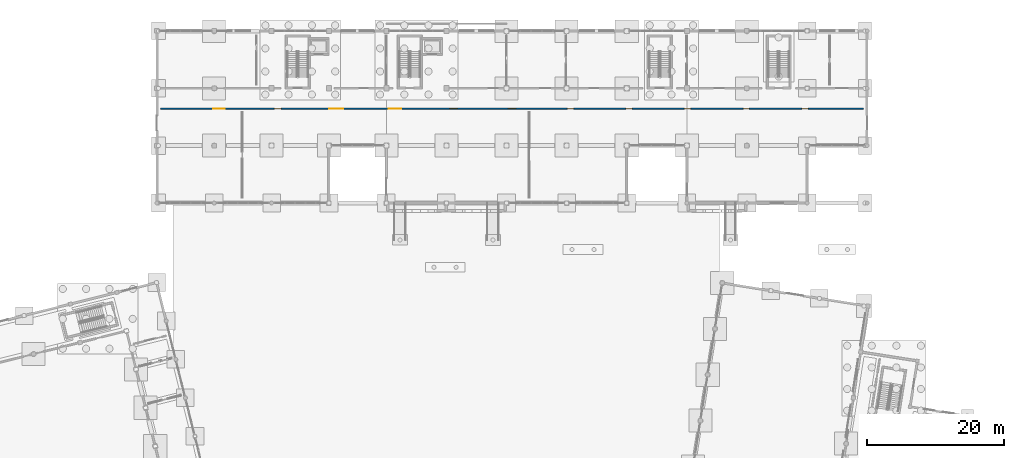
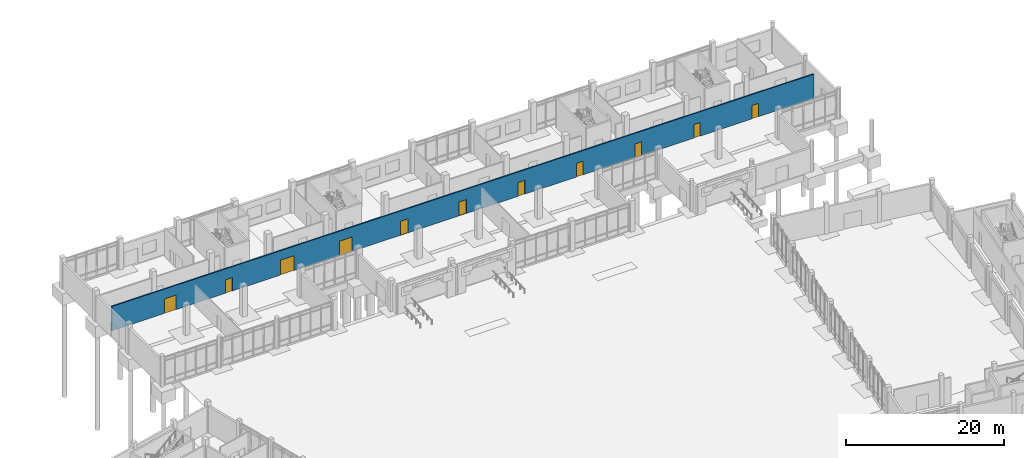
# One storey, part 48 of 72: 11 doors, 1 wall, 11 openings.
"""IFC4 building model written with IfcOpenShell, lengths in metres."""

from ifc_helpers import new_model, si_unit, direction, frame, frame_2d, origin, place, context, subcontext, project, spatial, rectangle, extrude, material, layer, layer_set, type_object, element, fill, save


model = new_model("IFC4")

# Units and contexts
model_context = context("Model", 3, precision=1e-05, world=origin(), true_north=direction((0.0, 1.0)))
body_context = subcontext(model_context, "Body", "Model", "MODEL_VIEW")
ifc_project = project(units=[si_unit("LENGTHUNIT", "METRE"), si_unit("AREAUNIT", "SQUARE_METRE"), si_unit("VOLUMEUNIT", "CUBIC_METRE"), si_unit("PLANEANGLEUNIT", "RADIAN"), si_unit("MASSUNIT", "GRAM", prefix="KILO")], contexts=[model_context])

# Site, building, storey
site_placement = place(None, origin())
site = spatial("IfcSite", under=ifc_project, at=site_placement, CompositionType="ELEMENT")
building_placement = place(site_placement, origin())
building = spatial("IfcBuilding", under=site, at=building_placement, Name="Cinderway Yard Community Centre", CompositionType="ELEMENT")
storey_placement = place(building_placement, origin())
storey = spatial("IfcBuildingStorey", under=building, at=storey_placement, Name="L00", CompositionType="ELEMENT", Elevation=0.0)

# Wall, openings, doors
ifc_material_1 = material(Name="Brick Masonry", Category="masonry")
ifc_layer = layer(ifc_material_1, 0.179931640625, Name="Brick Masonry")
ifc_layer_set = layer_set([ifc_layer], Name="Brick Masonry")
wall_type = type_object("IfcWallType", Name="INT-WAL-PRT180", PredefinedType="PARTITIONING", material=ifc_layer_set)
wall_placement = place(storey_placement, frame((42.14990234375, 103.800048828125, 0.0), z_axis=(0.0, 0.0, 1.0), x_axis=(1.0, 0.0, 0.0)))
wall = element("IfcWall", 1, at=wall_placement, inside=storey, type_object=wall_type, Name="V4 L00 South Corridor Spine INT-PRT-L00-0277", PredefinedType="PARTITIONING", context=body_context, shape_type="SweptSolid", body=[
    extrude(rectangle(XDim=102.900146484375, YDim=0.179931640625, at=frame_2d((51.4501953125, 0.0))), origin(), (0.0, 0.0, 1.0), 3.77490234375),
])
opening_1_placement = place(wall_placement, frame((7.735107421875, 0.0, 0.0)))
opening_1 = element("IfcOpeningElement", 2, at=opening_1_placement, cuts=wall, Name="Opening D-16", PredefinedType="OPENING", context=body_context, shape_type="SweptSolid", body=[
    extrude(rectangle(XDim=1.679931640625, YDim=2.260009765625, at=frame_2d((0.83984375, 1.1298828125))), frame((0.0, 0.099853515625, 0.0), z_axis=(0.0, -1.0, 0.0), x_axis=(1.0, 0.0, 0.0)), (0.0, 0.0, 1.0), 0.199951171875),
])
opening_2_placement = place(wall_placement, frame((16.6298828125, 0.0, 0.0)))
opening_2 = element("IfcOpeningElement", 3, at=opening_2_placement, cuts=wall, Name="Opening D-17", PredefinedType="OPENING", context=body_context, shape_type="SweptSolid", body=[
    extrude(rectangle(XDim=1.0400390625, YDim=2.080078125, at=frame_2d((0.52001953125, 1.0400390625))), frame((0.0, 0.099853515625, 0.0), z_axis=(0.0, -1.0, 0.0), x_axis=(1.0, 0.0, 0.0)), (0.0, 0.0, 1.0), 0.199951171875),
])
opening_3_placement = place(wall_placement, frame((24.72509765625, 0.0, 0.0)))
opening_3 = element("IfcOpeningElement", 4, at=opening_3_placement, cuts=wall, Name="Opening D-01", PredefinedType="OPENING", context=body_context, shape_type="SweptSolid", body=[
    extrude(rectangle(XDim=2.0, YDim=2.300048828125, at=frame_2d((1.0, 1.14990234375))), frame((0.0, 0.099853515625, 0.0), z_axis=(0.0, -1.0, 0.0), x_axis=(1.0, 0.0, 0.0)), (0.0, 0.0, 1.0), 0.199951171875),
])
opening_4_placement = place(wall_placement, frame((33.375, 0.0, 0.0)))
opening_4 = element("IfcOpeningElement", 5, at=opening_4_placement, cuts=wall, Name="Opening D-02", PredefinedType="OPENING", context=body_context, shape_type="SweptSolid", body=[
    extrude(rectangle(XDim=1.85009765625, YDim=2.219970703125, at=frame_2d((0.925048828125, 1.10986328125))), frame((0.0, 0.099853515625, 0.0), z_axis=(0.0, -1.0, 0.0), x_axis=(1.0, 0.0, 0.0)), (0.0, 0.0, 1.0), 0.199951171875),
])
opening_5_placement = place(wall_placement, frame((42.31494140625, 0.0, 0.0)))
opening_5 = element("IfcOpeningElement", 6, at=opening_5_placement, cuts=wall, Name="Opening D-03", PredefinedType="OPENING", context=body_context, shape_type="SweptSolid", body=[
    extrude(rectangle(XDim=1.1201171875, YDim=2.159912109375, at=frame_2d((0.56005859375, 1.080078125))), frame((0.0, 0.099853515625, 0.0), z_axis=(0.0, -1.0, 0.0), x_axis=(1.0, 0.0, 0.0)), (0.0, 0.0, 1.0), 0.199951171875),
])
opening_6_placement = place(wall_placement, frame((50.919921875, 0.0, 0.0)))
opening_6 = element("IfcOpeningElement", 7, at=opening_6_placement, cuts=wall, Name="Opening D-04", PredefinedType="OPENING", context=body_context, shape_type="SweptSolid", body=[
    extrude(rectangle(XDim=1.06005859375, YDim=2.159912109375, at=frame_2d((0.530029296875, 1.080078125))), frame((0.0, 0.099853515625, 0.0), z_axis=(0.0, -1.0, 0.0), x_axis=(1.0, 0.0, 0.0)), (0.0, 0.0, 1.0), 0.199951171875),
])
opening_7_placement = place(wall_placement, frame((59.52490234375, 0.0, 0.0)))
opening_7 = element("IfcOpeningElement", 8, at=opening_7_placement, cuts=wall, Name="Opening D-05", PredefinedType="OPENING", context=body_context, shape_type="SweptSolid", body=[
    extrude(rectangle(XDim=1.0, YDim=2.139892578125, at=frame_2d((0.5, 1.06982421875))), frame((0.0, 0.099853515625, 0.0), z_axis=(0.0, -1.0, 0.0), x_axis=(1.0, 0.0, 0.0)), (0.0, 0.0, 1.0), 0.199951171875),
])
opening_8_placement = place(wall_placement, frame((68.110107421875, 0.0, 0.0)))
opening_8 = element("IfcOpeningElement", 9, at=opening_8_placement, cuts=wall, Name="Opening D-06", PredefinedType="OPENING", context=body_context, shape_type="SweptSolid", body=[
    extrude(rectangle(XDim=0.97998046875, YDim=2.1201171875, at=frame_2d((0.489990234375, 1.06005859375))), frame((0.0, 0.099853515625, 0.0), z_axis=(0.0, -1.0, 0.0), x_axis=(1.0, 0.0, 0.0)), (0.0, 0.0, 1.0), 0.199951171875),
])
opening_9_placement = place(wall_placement, frame((76.699951171875, 0.0, 0.0)))
opening_9 = element("IfcOpeningElement", 10, at=opening_9_placement, cuts=wall, Name="Opening D-07", PredefinedType="OPENING", context=body_context, shape_type="SweptSolid", body=[
    extrude(rectangle(XDim=0.949951171875, YDim=2.1201171875, at=frame_2d((0.47509765625, 1.06005859375))), frame((0.0, 0.099853515625, 0.0), z_axis=(0.0, -1.0, 0.0), x_axis=(1.0, 0.0, 0.0)), (0.0, 0.0, 1.0), 0.199951171875),
])
opening_10_placement = place(wall_placement, frame((85.2900390625, 0.0, 0.0)))
opening_10 = element("IfcOpeningElement", 11, at=opening_10_placement, cuts=wall, Name="Opening D-08", PredefinedType="OPENING", context=body_context, shape_type="SweptSolid", body=[
    extrude(rectangle(XDim=0.919921875, YDim=2.10009765625, at=frame_2d((0.4599609375, 1.050048828125))), frame((0.0, 0.099853515625, 0.0), z_axis=(0.0, -1.0, 0.0), x_axis=(1.0, 0.0, 0.0)), (0.0, 0.0, 1.0), 0.199951171875),
])
opening_11_placement = place(wall_placement, frame((93.844970703125, 0.0, 0.0)))
opening_11 = element("IfcOpeningElement", 12, at=opening_11_placement, cuts=wall, Name="Opening D-09", PredefinedType="OPENING", context=body_context, shape_type="SweptSolid", body=[
    extrude(rectangle(XDim=0.9599609375, YDim=2.080078125, at=frame_2d((0.47998046875, 1.0400390625))), frame((0.0, 0.099853515625, 0.0), z_axis=(0.0, -1.0, 0.0), x_axis=(1.0, 0.0, 0.0)), (0.0, 0.0, 1.0), 0.199951171875),
])
ifc_material_2 = material(Name="Hardwood Timber", Category="wood")
door_type_1 = type_object("IfcDoorType", Name="INT-DOR-CLS100", OperationType="NOTDEFINED", PredefinedType="DOOR", material=ifc_material_2)
door_1_placement = place(opening_7_placement, origin())
door_1 = element("IfcDoor", 13, at=door_1_placement, inside=storey, type_object=door_type_1, Name="Room door INT-DOR-L00-0134", OperationType="SINGLE_SWING_LEFT", OverallHeight=2.139892578125, OverallWidth=1.0, PredefinedType="DOOR", context=body_context, shape_type="SweptSolid", body=[
    extrude(rectangle(XDim=1.0, YDim=2.139892578125, at=frame_2d((0.5, 1.06982421875))), frame((0.0, 0.02490234375, 0.0), z_axis=(0.0, -1.0, 0.0), x_axis=(1.0, 0.0, 0.0)), (0.0, 0.0, 1.0), 0.050048828125),
])
fill(opening_7, door_1)
door_type_2 = type_object("IfcDoorType", Name="INT-DOR-CLS106", OperationType="NOTDEFINED", PredefinedType="DOOR", material=ifc_material_2)
door_2_placement = place(opening_6_placement, origin())
door_2 = element("IfcDoor", 14, at=door_2_placement, inside=storey, type_object=door_type_2, Name="Room door INT-DOR-L00-0133", OperationType="SINGLE_SWING_RIGHT", OverallHeight=2.159912109375, OverallWidth=1.06005859375, PredefinedType="DOOR", context=body_context, shape_type="SweptSolid", body=[
    extrude(rectangle(XDim=1.06005859375, YDim=2.159912109375, at=frame_2d((0.530029296875, 1.080078125))), frame((0.0, 0.02490234375, 0.0), z_axis=(0.0, -1.0, 0.0), x_axis=(1.0, 0.0, 0.0)), (0.0, 0.0, 1.0), 0.050048828125),
])
fill(opening_6, door_2)
door_type_3 = type_object("IfcDoorType", Name="INT-DOR-CLS112", OperationType="NOTDEFINED", PredefinedType="DOOR", material=ifc_material_2)
door_3_placement = place(opening_5_placement, origin())
door_3 = element("IfcDoor", 15, at=door_3_placement, inside=storey, type_object=door_type_3, Name="Room door INT-DOR-L00-0132", OperationType="SINGLE_SWING_LEFT", OverallHeight=2.159912109375, OverallWidth=1.1201171875, PredefinedType="DOOR", context=body_context, shape_type="SweptSolid", body=[
    extrude(rectangle(XDim=1.1201171875, YDim=2.159912109375, at=frame_2d((0.56005859375, 1.080078125))), frame((0.0, 0.02490234375, 0.0), z_axis=(0.0, -1.0, 0.0), x_axis=(1.0, 0.0, 0.0)), (0.0, 0.0, 1.0), 0.050048828125),
])
fill(opening_5, door_3)
door_type_4 = type_object("IfcDoorType", Name="INT-DOR-HAL185", OperationType="DOUBLE_DOOR_SINGLE_SWING", PredefinedType="DOOR", material=ifc_material_2)
door_4_placement = place(opening_4_placement, origin())
door_4 = element("IfcDoor", 16, at=door_4_placement, inside=storey, type_object=door_type_4, Name="Room door INT-DOR-L00-0131", OperationType="DOUBLE_DOOR_SINGLE_SWING", OverallHeight=2.219970703125, OverallWidth=1.85009765625, PredefinedType="DOOR", context=body_context, shape_type="SweptSolid", body=[
    extrude(rectangle(XDim=1.85009765625, YDim=2.219970703125, at=frame_2d((0.925048828125, 1.10986328125))), frame((0.0, 0.02490234375, 0.0), z_axis=(0.0, -1.0, 0.0), x_axis=(1.0, 0.0, 0.0)), (0.0, 0.0, 1.0), 0.050048828125),
])
fill(opening_4, door_4)
door_type_5 = type_object("IfcDoorType", Name="INT-DOR-HAL200", OperationType="DOUBLE_DOOR_SINGLE_SWING", PredefinedType="DOOR", material=ifc_material_2)
door_5_placement = place(opening_3_placement, origin())
door_5 = element("IfcDoor", 17, at=door_5_placement, inside=storey, type_object=door_type_5, Name="Room door INT-DOR-L00-0130", OperationType="DOUBLE_DOOR_SINGLE_SWING", OverallHeight=2.300048828125, OverallWidth=2.0, PredefinedType="DOOR", context=body_context, shape_type="SweptSolid", body=[
    extrude(rectangle(XDim=2.0, YDim=2.300048828125, at=frame_2d((1.0, 1.14990234375))), frame((0.0, 0.02490234375, 0.0), z_axis=(0.0, -1.0, 0.0), x_axis=(1.0, 0.0, 0.0)), (0.0, 0.0, 1.0), 0.050048828125),
])
fill(opening_3, door_5)
door_type_6 = type_object("IfcDoorType", Name="INT-DOR-LIB168", OperationType="DOUBLE_DOOR_SINGLE_SWING", PredefinedType="DOOR", material=ifc_material_2)
door_6_placement = place(opening_1_placement, origin())
door_6 = element("IfcDoor", 18, at=door_6_placement, inside=storey, type_object=door_type_6, Name="Room door INT-DOR-L00-0128", OperationType="DOUBLE_DOOR_SINGLE_SWING", OverallHeight=2.260009765625, OverallWidth=1.679931640625, PredefinedType="DOOR", context=body_context, shape_type="SweptSolid", body=[
    extrude(rectangle(XDim=1.679931640625, YDim=2.260009765625, at=frame_2d((0.83984375, 1.1298828125))), frame((0.0, 0.02490234375, 0.0), z_axis=(0.0, -1.0, 0.0), x_axis=(1.0, 0.0, 0.0)), (0.0, 0.0, 1.0), 0.050048828125),
])
fill(opening_1, door_6)
door_type_7 = type_object("IfcDoorType", Name="INT-DOR-NUR104", OperationType="NOTDEFINED", PredefinedType="DOOR", material=ifc_material_2)
door_7_placement = place(opening_2_placement, origin())
door_7 = element("IfcDoor", 19, at=door_7_placement, inside=storey, type_object=door_type_7, Name="Room door INT-DOR-L00-0129", OperationType="SINGLE_SWING_RIGHT", OverallHeight=2.080078125, OverallWidth=1.0400390625, PredefinedType="DOOR", context=body_context, shape_type="SweptSolid", body=[
    extrude(rectangle(XDim=1.0400390625, YDim=2.080078125, at=frame_2d((0.52001953125, 1.0400390625))), frame((0.0, 0.02490234375, 0.0), z_axis=(0.0, -1.0, 0.0), x_axis=(1.0, 0.0, 0.0)), (0.0, 0.0, 1.0), 0.050048828125),
])
fill(opening_2, door_7)
door_type_8 = type_object("IfcDoorType", Name="INT-DOR-OFF092", OperationType="NOTDEFINED", PredefinedType="DOOR", material=ifc_material_2)
door_8_placement = place(opening_10_placement, origin())
door_8 = element("IfcDoor", 20, at=door_8_placement, inside=storey, type_object=door_type_8, Name="Room door INT-DOR-L00-0137", OperationType="SINGLE_SWING_RIGHT", OverallHeight=2.10009765625, OverallWidth=0.919921875, PredefinedType="DOOR", context=body_context, shape_type="SweptSolid", body=[
    extrude(rectangle(XDim=0.919921875, YDim=2.10009765625, at=frame_2d((0.4599609375, 1.050048828125))), frame((0.0, 0.02490234375, 0.0), z_axis=(0.0, -1.0, 0.0), x_axis=(1.0, 0.0, 0.0)), (0.0, 0.0, 1.0), 0.050048828125),
])
fill(opening_10, door_8)
door_type_9 = type_object("IfcDoorType", Name="INT-DOR-OFF095", OperationType="NOTDEFINED", PredefinedType="DOOR", material=ifc_material_2)
door_9_placement = place(opening_9_placement, origin())
door_9 = element("IfcDoor", 21, at=door_9_placement, inside=storey, type_object=door_type_9, Name="Room door INT-DOR-L00-0136", OperationType="SINGLE_SWING_LEFT", OverallHeight=2.1201171875, OverallWidth=0.949951171875, PredefinedType="DOOR", context=body_context, shape_type="SweptSolid", body=[
    extrude(rectangle(XDim=0.949951171875, YDim=2.1201171875, at=frame_2d((0.47509765625, 1.06005859375))), frame((0.0, 0.02490234375, 0.0), z_axis=(0.0, -1.0, 0.0), x_axis=(1.0, 0.0, 0.0)), (0.0, 0.0, 1.0), 0.050048828125),
])
fill(opening_9, door_9)
door_type_10 = type_object("IfcDoorType", Name="INT-DOR-OFF098", OperationType="NOTDEFINED", PredefinedType="DOOR", material=ifc_material_2)
door_10_placement = place(opening_8_placement, origin())
door_10 = element("IfcDoor", 22, at=door_10_placement, inside=storey, type_object=door_type_10, Name="Room door INT-DOR-L00-0135", OperationType="SINGLE_SWING_RIGHT", OverallHeight=2.1201171875, OverallWidth=0.97998046875, PredefinedType="DOOR", context=body_context, shape_type="SweptSolid", body=[
    extrude(rectangle(XDim=0.97998046875, YDim=2.1201171875, at=frame_2d((0.489990234375, 1.06005859375))), frame((0.0, 0.02490234375, 0.0), z_axis=(0.0, -1.0, 0.0), x_axis=(1.0, 0.0, 0.0)), (0.0, 0.0, 1.0), 0.050048828125),
])
fill(opening_8, door_10)
door_type_11 = type_object("IfcDoorType", Name="INT-DOR-SAN096", OperationType="NOTDEFINED", PredefinedType="DOOR", material=ifc_material_2)
door_11_placement = place(opening_11_placement, origin())
door_11 = element("IfcDoor", 23, at=door_11_placement, inside=storey, type_object=door_type_11, Name="Room door INT-DOR-L00-0138", OperationType="SINGLE_SWING_LEFT", OverallHeight=2.080078125, OverallWidth=0.9599609375, PredefinedType="DOOR", context=body_context, shape_type="SweptSolid", body=[
    extrude(rectangle(XDim=0.9599609375, YDim=2.080078125, at=frame_2d((0.47998046875, 1.0400390625))), frame((0.0, 0.02490234375, 0.0), z_axis=(0.0, -1.0, 0.0), x_axis=(1.0, 0.0, 0.0)), (0.0, 0.0, 1.0), 0.050048828125),
])
fill(opening_11, door_11)

save(model, "model.ifc")
